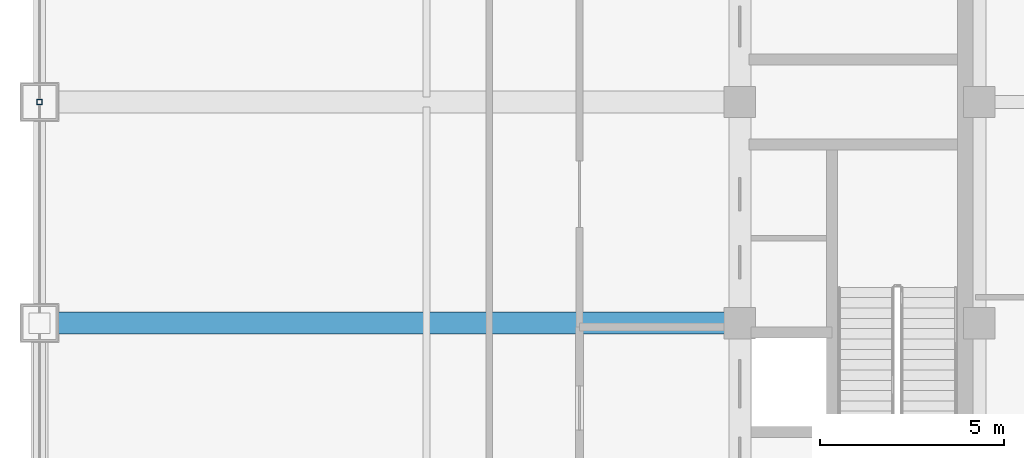
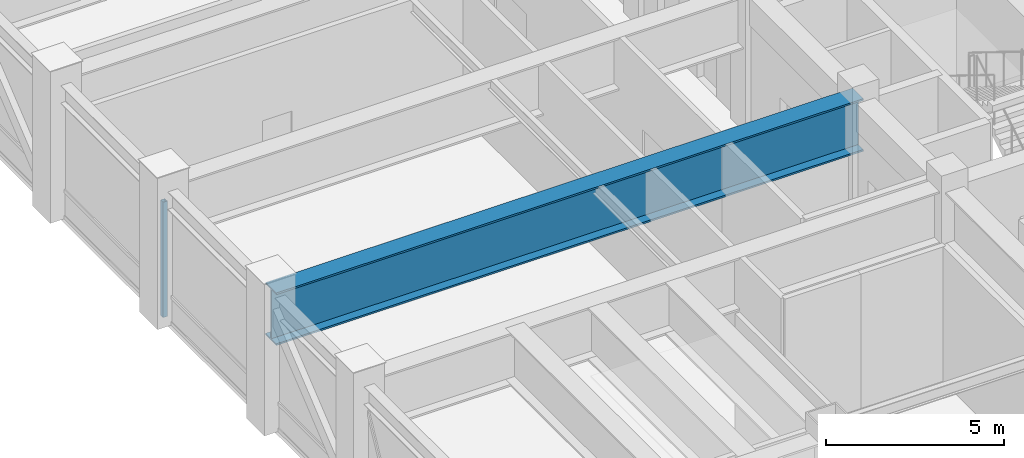
# One storey, part 6 of 33: 1 beam, 1 member, 1 element without a shape of its own.
"""IFC4 building model written with IfcOpenShell, lengths in metres."""

from ifc_helpers import new_model, si_unit, direction, frame, origin, origin_2d, place, context, subcontext, project, spatial, hollow_rectangle, i_section, extrude, source, transform, mapped, material, material_profile, profile_set, type_object, element, aggregate, save


model = new_model("IFC4")

# Units and contexts
model_context = context("Model", 3, precision=1e-05, world=origin(), true_north=direction((0.0, 1.0)))
body_context = subcontext(model_context, "Body", "Model", "MODEL_VIEW")
ifc_project = project(units=[si_unit("LENGTHUNIT", "METRE"), si_unit("AREAUNIT", "SQUARE_METRE"), si_unit("VOLUMEUNIT", "CUBIC_METRE"), si_unit("PLANEANGLEUNIT", "RADIAN"), si_unit("MASSUNIT", "GRAM", prefix="KILO")], contexts=[model_context])

# Site, building, storey
site_placement = place(None, origin())
site = spatial("IfcSite", under=ifc_project, at=site_placement, CompositionType="ELEMENT")
building_placement = place(site_placement, origin())
building = spatial("IfcBuilding", under=site, at=building_placement, Name="Khorayat Bourse Tower", CompositionType="ELEMENT")
storey_placement = place(building_placement, frame((0.0, 0.0, 263.10009765625)))
storey = spatial("IfcBuildingStorey", under=building, at=storey_placement, Name="L62", CompositionType="ELEMENT", Elevation=263.10009765625)

# Beam
ifc_material_1 = material(Name="Steel EN 10025-4 S460M", Category="steel")
ifc_material_profile_1 = material_profile(ifc_material_1, i_section(OverallWidth=0.60009765625, OverallDepth=1.800048828125, WebThickness=0.031982421875, FlangeThickness=0.06005859375, at=origin_2d()), Name="PG 1800x600x32x60")
ifc_profile_set_1 = profile_set([ifc_material_profile_1], Name="Steel EN 10025-4 S460M")
beam_type = type_object("IfcBeamType", Name="BM-TR-1800", PredefinedType="BEAM", material=ifc_profile_set_1)
shared_shape_1 = source(origin(), body_context, "Body", "SweptSolid", [
    extrude(i_section(OverallWidth=0.60009765625, OverallDepth=1.800048828125, WebThickness=0.031982421875, FlangeThickness=0.06005859375, at=origin_2d()), origin(), (0.0, 0.0, 1.0), 19.0),
])
beam_placement = place(storey_placement, frame((-30.0, -6.0, 3.699951171875), z_axis=(1.0, 0.0, 0.0), x_axis=(0.0, 1.0, 0.0)))
element("IfcBeam", 1, at=beam_placement, inside=storey, type_object=beam_type, Name="L62 BM-TR-1800 BM-L62-RADX-077", PredefinedType="BEAM", context=body_context, shape_type="MappedRepresentation", body=[
    mapped(shared_shape_1, transform((0.0, 0.0, 0.0), scale=1.0)),
])

# Curtain wall, member
ifc_material_2 = material(Name="Aluminium EN AW-6063 T6", Category="aluminium")
curtain_wall_type = type_object("IfcCurtainWallType", Name="CW-SYS-05", PredefinedType="NOTDEFINED", material=ifc_material_2)
curtain_wall_placement = place(storey_placement, origin())
curtain_wall = element("IfcCurtainWall", 2, at=curtain_wall_placement, inside=storey, type_object=curtain_wall_type, Name="L62 Curtain Wall CW-L62-W1", PredefinedType="NOTDEFINED")
ifc_material_profile_2 = material_profile(ifc_material_2, hollow_rectangle(XDim=0.139892578125, YDim=0.139892578125, WallThickness=0.006103515625, at=origin_2d()), Name="ALU 140x140x6")
ifc_profile_set_2 = profile_set([ifc_material_profile_2], Name="Aluminium EN AW-6063 T6")
member_type = type_object("IfcMemberType", Name="CWM-VERT-140", PredefinedType="MULLION", material=ifc_profile_set_2)
shared_shape_2 = source(origin(), body_context, "Body", "SweptSolid", [
    extrude(hollow_rectangle(XDim=0.139892578125, YDim=0.139892578125, WallThickness=0.006103515625, at=origin_2d()), origin(), (0.0, 0.0, 1.0), 3.949951171875),
])
member_placement = place(storey_placement, frame((-30.0, 0.0, 0.0), z_axis=(0.0, 0.0, 1.0), x_axis=(-1.0, 0.0, 0.0)))
member = element("IfcMember", 3, at=member_placement, type_object=member_type, Name="CW-L62-W1 Vertical Mullion 2", PredefinedType="MULLION", context=body_context, shape_type="MappedRepresentation", body=[
    mapped(shared_shape_2, transform((0.0, 0.0, 0.0), scale=1.0)),
])
aggregate(curtain_wall, [member])

save(model, "model.ifc")
